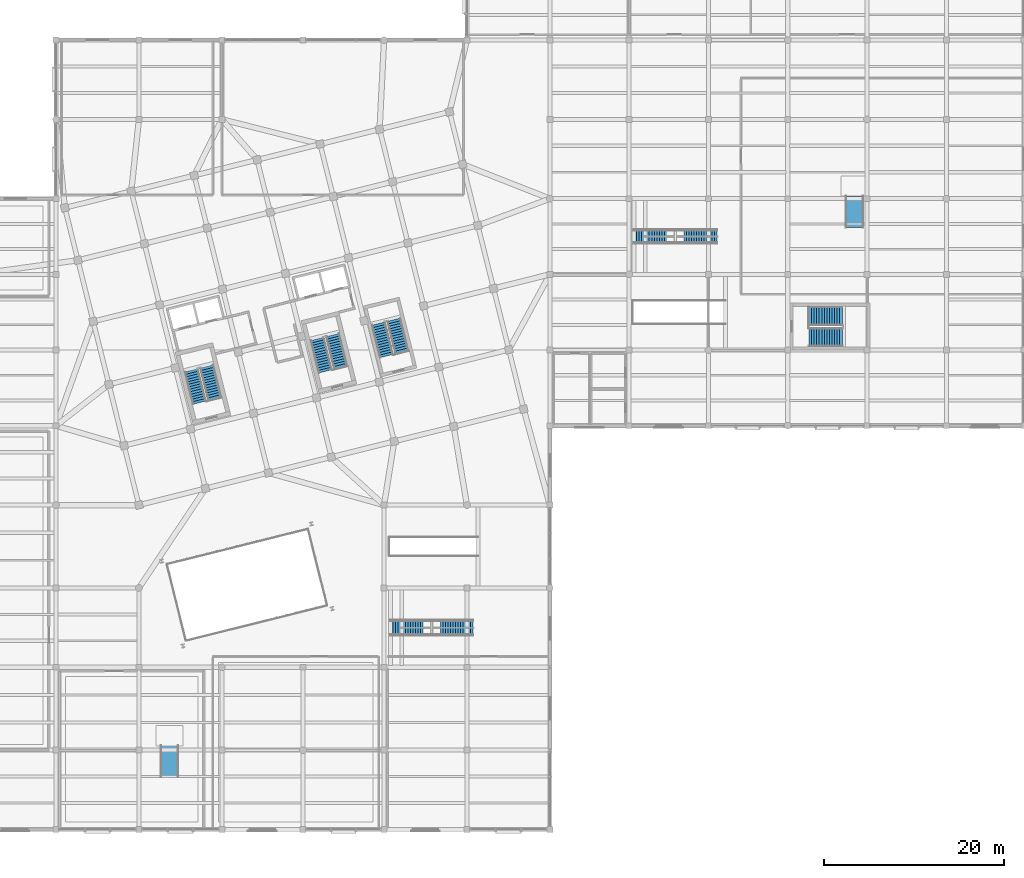
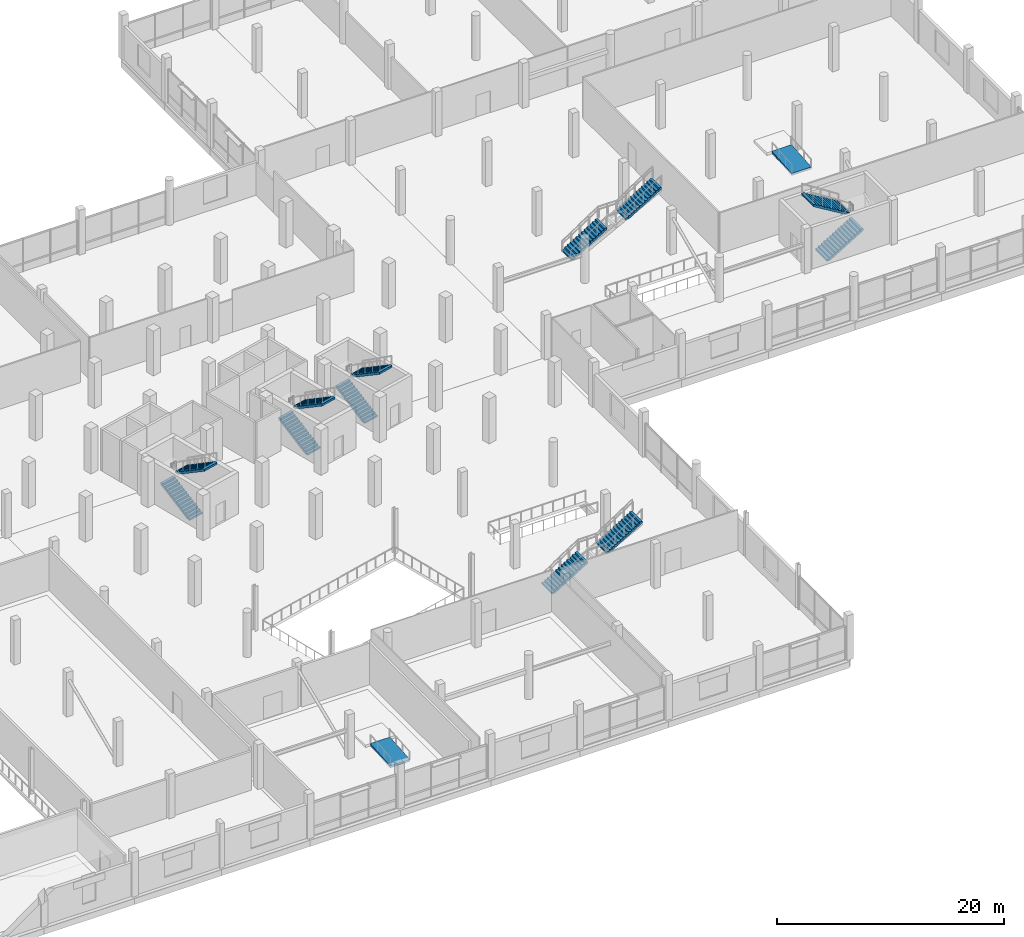
# One storey, part 63 of 71: 12 stair flights, 2 ramp flights, 8 elements without a shape of their own.
"""IFC4 building model written with IfcOpenShell, lengths in metres."""

from ifc_helpers import new_model, si_unit, direction, frame, origin, place, context, subcontext, project, spatial, polyline, outline, extrude, material, layer, layer_set, type_object, element, aggregate, save


model = new_model("IFC4")

# Units and contexts
model_context = context("Model", 3, precision=1e-05, world=origin(), true_north=direction((0.0, 1.0)))
body_context = subcontext(model_context, "Body", "Model", "MODEL_VIEW")
ifc_project = project(units=[si_unit("LENGTHUNIT", "METRE"), si_unit("AREAUNIT", "SQUARE_METRE"), si_unit("VOLUMEUNIT", "CUBIC_METRE"), si_unit("PLANEANGLEUNIT", "RADIAN"), si_unit("MASSUNIT", "GRAM", prefix="KILO")], contexts=[model_context])

# Site, building, storey
site_placement = place(None, origin())
site = spatial("IfcSite", under=ifc_project, at=site_placement, CompositionType="ELEMENT")
building_placement = place(site_placement, origin())
building = spatial("IfcBuilding", under=site, at=building_placement, Name="Meriwether Solvik Hall", CompositionType="ELEMENT")
storey_placement = place(building_placement, frame((0.0, 0.0, 5.10009765625)))
storey = spatial("IfcBuildingStorey", under=building, at=storey_placement, Name="L01", CompositionType="ELEMENT", Elevation=5.10009765625)

# Stair, stair flights
ifc_material_1 = material(Name="Glulam Douglas-Fir 24F-V8 GL28h", Category="wood")
stair_type_1 = type_object("IfcStairType", Name="STR-OPEN-LIB", PredefinedType="TWO_STRAIGHT_RUN_STAIR", material=ifc_material_1)
stair_1_placement = place(storey_placement, origin())
stair_1 = element("IfcStair", 1, at=stair_1_placement, inside=storey, type_object=stair_type_1, Name="Architectural Stair ST-LB1 (L01-L02)", PredefinedType="TWO_STRAIGHT_RUN_STAIR")
ifc_material_2 = material(Name="Glulam Douglas-Fir 24F-V8 GL28h", Category="wood")
stair_flight_type_1 = type_object("IfcStairFlightType", Name="SFL-GL-165", PredefinedType="STRAIGHT", material=ifc_material_2)
stair_flight_1_placement = place(storey_placement, frame((123.550048828125, 71.0, 0.0), z_axis=(0.0, 0.0, 1.0), x_axis=(1.0, 0.0, 0.0)))
stair_flight_1 = element("IfcStairFlight", 2, at=stair_flight_1_placement, type_object=stair_flight_type_1, Name="Stair ST-LB1 Lower Flight", NumberOfRisers=14, NumberOfTreads=13, PredefinedType="STRAIGHT", RiserHeight=0.171429, TreadLength=0.28, context=body_context, shape_type="SweptSolid", body=[
    extrude(outline(polyline([(0.0, 0.0), (0.0, 0.17138671875), (0.280029296875, 0.17138671875), (0.280029296875, 0.3427734375), (0.56005859375, 0.3427734375), (0.56005859375, 0.514404296875), (0.840087890625, 0.514404296875), (0.840087890625, 0.685791015625), (1.1201171875, 0.685791015625), (1.1201171875, 0.857177734375), (1.39990234375, 0.857177734375), (1.39990234375, 1.028564453125), (1.679931640625, 1.028564453125), (1.679931640625, 1.199951171875), (1.9599609375, 1.199951171875), (1.9599609375, 1.371337890625), (2.239990234375, 1.371337890625), (2.239990234375, 1.54296875), (2.52001953125, 1.54296875), (2.52001953125, 1.71435546875), (2.800048828125, 1.71435546875), (2.800048828125, 1.8857421875), (3.080078125, 1.8857421875), (3.080078125, 2.05712890625), (3.360107421875, 2.05712890625), (3.360107421875, 2.228515625), (3.639892578125, 2.228515625), (3.639892578125, 2.39990234375), (3.639892578125, 2.017578125), (0.344482421875, 0.0), (0.0, 0.0)])), frame((0.0, 0.824951171875, 0.0), z_axis=(0.0, -1.0, 0.0), x_axis=(1.0, 0.0, 0.0)), (0.0, 0.0, 1.0), 1.64990234375),
])
stair_flight_2_placement = place(storey_placement, frame((129.090087890625, 71.0, 2.39990234375), z_axis=(0.0, 0.0, 1.0), x_axis=(1.0, 0.0, 0.0)))
stair_flight_2 = element("IfcStairFlight", 3, at=stair_flight_2_placement, type_object=stair_flight_type_1, Name="Stair ST-LB1 Upper Flight", NumberOfRisers=14, NumberOfTreads=13, PredefinedType="STRAIGHT", RiserHeight=0.171429, TreadLength=0.28, context=body_context, shape_type="SweptSolid", body=[
    extrude(outline(polyline([(0.0, 0.0), (0.0, 0.17138671875), (0.280029296875, 0.17138671875), (0.280029296875, 0.3427734375), (0.56005859375, 0.3427734375), (0.56005859375, 0.514404296875), (0.840087890625, 0.514404296875), (0.840087890625, 0.685791015625), (1.1201171875, 0.685791015625), (1.1201171875, 0.857177734375), (1.39990234375, 0.857177734375), (1.39990234375, 1.028564453125), (1.679931640625, 1.028564453125), (1.679931640625, 1.199951171875), (1.9599609375, 1.199951171875), (1.9599609375, 1.371337890625), (2.239990234375, 1.371337890625), (2.239990234375, 1.54296875), (2.52001953125, 1.54296875), (2.52001953125, 1.71435546875), (2.800048828125, 1.71435546875), (2.800048828125, 1.8857421875), (3.080078125, 1.8857421875), (3.080078125, 2.05712890625), (3.360107421875, 2.05712890625), (3.360107421875, 2.228515625), (3.639892578125, 2.228515625), (3.639892578125, 2.39990234375), (3.639892578125, 2.017578125), (0.344482421875, 0.0), (0.0, 0.0)])), frame((0.0, 0.824951171875, 0.0), z_axis=(0.0, -1.0, 0.0), x_axis=(1.0, 0.0, 0.0)), (0.0, 0.0, 1.0), 1.64990234375),
])
aggregate(stair_1, [stair_flight_1, stair_flight_2])

ifc_material_3 = material(Name="Glulam Douglas-Fir 24F-V8 GL28h", Category="wood")
stair_type_2 = type_object("IfcStairType", Name="STR-OPEN-ATRIUM", PredefinedType="TWO_STRAIGHT_RUN_STAIR", material=ifc_material_3)
stair_2_placement = place(storey_placement, origin())
stair_2 = element("IfcStair", 4, at=stair_2_placement, inside=storey, type_object=stair_type_2, Name="Architectural Stair ST-AT2 (L01-L02)", PredefinedType="TWO_STRAIGHT_RUN_STAIR")
ifc_material_4 = material(Name="Glulam Douglas-Fir 24F-V8 GL28h", Category="wood")
stair_flight_type_2 = type_object("IfcStairFlightType", Name="SFL-GL-180", PredefinedType="STRAIGHT", material=ifc_material_4)
stair_flight_3_placement = place(storey_placement, frame((96.5, 27.60009765625, 0.0), z_axis=(0.0, 0.0, 1.0), x_axis=(1.0, 0.0, 0.0)))
stair_flight_3 = element("IfcStairFlight", 5, at=stair_flight_3_placement, type_object=stair_flight_type_2, Name="Stair ST-AT2 Lower Flight", NumberOfRisers=14, NumberOfTreads=13, PredefinedType="STRAIGHT", RiserHeight=0.171429, TreadLength=0.28, context=body_context, shape_type="SweptSolid", body=[
    extrude(outline(polyline([(0.0, 0.0), (0.0, 0.17138671875), (0.280029296875, 0.17138671875), (0.280029296875, 0.3427734375), (0.56005859375, 0.3427734375), (0.56005859375, 0.514404296875), (0.840087890625, 0.514404296875), (0.840087890625, 0.685791015625), (1.1201171875, 0.685791015625), (1.1201171875, 0.857177734375), (1.39990234375, 0.857177734375), (1.39990234375, 1.028564453125), (1.679931640625, 1.028564453125), (1.679931640625, 1.199951171875), (1.9599609375, 1.199951171875), (1.9599609375, 1.371337890625), (2.239990234375, 1.371337890625), (2.239990234375, 1.54296875), (2.52001953125, 1.54296875), (2.52001953125, 1.71435546875), (2.800048828125, 1.71435546875), (2.800048828125, 1.8857421875), (3.080078125, 1.8857421875), (3.080078125, 2.05712890625), (3.360107421875, 2.05712890625), (3.360107421875, 2.228515625), (3.639892578125, 2.228515625), (3.639892578125, 2.39990234375), (3.639892578125, 2.017578125), (0.344482421875, 0.0), (0.0, 0.0)])), frame((0.0, 0.89990234375, 0.0), z_axis=(0.0, -1.0, 0.0), x_axis=(1.0, 0.0, 0.0)), (0.0, 0.0, 1.0), 1.800048828125),
])
stair_flight_4_placement = place(storey_placement, frame((102.0400390625, 27.60009765625, 2.39990234375), z_axis=(0.0, 0.0, 1.0), x_axis=(1.0, 0.0, 0.0)))
stair_flight_4 = element("IfcStairFlight", 6, at=stair_flight_4_placement, type_object=stair_flight_type_2, Name="Stair ST-AT2 Upper Flight", NumberOfRisers=14, NumberOfTreads=13, PredefinedType="STRAIGHT", RiserHeight=0.171429, TreadLength=0.28, context=body_context, shape_type="SweptSolid", body=[
    extrude(outline(polyline([(0.0, 0.0), (0.0, 0.17138671875), (0.280029296875, 0.17138671875), (0.280029296875, 0.3427734375), (0.56005859375, 0.3427734375), (0.56005859375, 0.514404296875), (0.840087890625, 0.514404296875), (0.840087890625, 0.685791015625), (1.1201171875, 0.685791015625), (1.1201171875, 0.857177734375), (1.39990234375, 0.857177734375), (1.39990234375, 1.028564453125), (1.679931640625, 1.028564453125), (1.679931640625, 1.199951171875), (1.9599609375, 1.199951171875), (1.9599609375, 1.371337890625), (2.239990234375, 1.371337890625), (2.239990234375, 1.54296875), (2.52001953125, 1.54296875), (2.52001953125, 1.71435546875), (2.800048828125, 1.71435546875), (2.800048828125, 1.8857421875), (3.080078125, 1.8857421875), (3.080078125, 2.05712890625), (3.360107421875, 2.05712890625), (3.360107421875, 2.228515625), (3.639892578125, 2.228515625), (3.639892578125, 2.39990234375), (3.639892578125, 2.017578125), (0.344482421875, 0.0), (0.0, 0.0)])), frame((0.0, 0.89990234375, 0.0), z_axis=(0.0, -1.0, 0.0), x_axis=(1.0, 0.0, 0.0)), (0.0, 0.0, 1.0), 1.800048828125),
])
aggregate(stair_2, [stair_flight_3, stair_flight_4])

ifc_material_5 = material(Name="Concrete C40/50", Category="concrete")
stair_type_3 = type_object("IfcStairType", Name="STR-CORE-DOGLEG-B", PredefinedType="TWO_STRAIGHT_RUN_STAIR", material=ifc_material_5)
stair_3_placement = place(storey_placement, origin())
stair_3 = element("IfcStair", 7, at=stair_3_placement, inside=storey, type_object=stair_type_3, Name="Exit Stair ST-01 (L01)", PredefinedType="TWO_STRAIGHT_RUN_STAIR")
ifc_material_6 = material(Name="Concrete C40/50", Category="concrete")
stair_flight_type_3 = type_object("IfcStairFlightType", Name="SFL-RC-156", PredefinedType="STRAIGHT", material=ifc_material_6)
stair_flight_5_placement = place(storey_placement, frame((75.310791015625, 52.56103515625, 0.0), z_axis=(0.0, 0.0, 1.0), x_axis=(-0.2419218956, 0.970295726276, 0.0)))
stair_flight_5 = element("IfcStairFlight", 8, at=stair_flight_5_placement, type_object=stair_flight_type_3, Name="Stair ST-01 Lower Flight (L01)", NumberOfRisers=14, NumberOfTreads=13, PredefinedType="STRAIGHT", RiserHeight=0.171429, TreadLength=0.285, context=body_context, shape_type="SweptSolid", body=[
    extrude(outline(polyline([(0.0, 0.0), (0.0, 0.17138671875), (0.284912109375, 0.17138671875), (0.284912109375, 0.3427734375), (0.570068359375, 0.3427734375), (0.570068359375, 0.514404296875), (0.85498046875, 0.514404296875), (0.85498046875, 0.685791015625), (1.139892578125, 0.685791015625), (1.139892578125, 0.857177734375), (1.425048828125, 0.857177734375), (1.425048828125, 1.028564453125), (1.7099609375, 1.028564453125), (1.7099609375, 1.199951171875), (1.9951171875, 1.199951171875), (1.9951171875, 1.371337890625), (2.280029296875, 1.371337890625), (2.280029296875, 1.54296875), (2.56494140625, 1.54296875), (2.56494140625, 1.71435546875), (2.85009765625, 1.71435546875), (2.85009765625, 1.8857421875), (3.135009765625, 1.8857421875), (3.135009765625, 2.05712890625), (3.419921875, 2.05712890625), (3.419921875, 2.228515625), (3.705078125, 2.228515625), (3.705078125, 2.39990234375), (3.705078125, 2.0185546875), (0.34912109375, 0.0), (0.0, 0.0)])), frame((0.0, 0.780029296875, 0.0), z_axis=(0.0, -1.0, 0.0), x_axis=(1.0, 0.0, 0.0)), (0.0, 0.0, 1.0), 1.56005859375),
])
stair_flight_6_placement = place(storey_placement, frame((76.1416015625, 56.58642578125, 2.39990234375), z_axis=(0.0, 0.0, 1.0), x_axis=(0.2419218956, -0.970295726276, 0.0)))
stair_flight_6 = element("IfcStairFlight", 9, at=stair_flight_6_placement, type_object=stair_flight_type_3, Name="Stair ST-01 Upper Flight (L01)", NumberOfRisers=14, NumberOfTreads=13, PredefinedType="STRAIGHT", RiserHeight=0.171429, TreadLength=0.285, context=body_context, shape_type="SweptSolid", body=[
    extrude(outline(polyline([(0.0, 0.0), (0.0, 0.17138671875), (0.284912109375, 0.17138671875), (0.284912109375, 0.3427734375), (0.570068359375, 0.3427734375), (0.570068359375, 0.514404296875), (0.85498046875, 0.514404296875), (0.85498046875, 0.685791015625), (1.139892578125, 0.685791015625), (1.139892578125, 0.857177734375), (1.425048828125, 0.857177734375), (1.425048828125, 1.028564453125), (1.7099609375, 1.028564453125), (1.7099609375, 1.199951171875), (1.9951171875, 1.199951171875), (1.9951171875, 1.371337890625), (2.280029296875, 1.371337890625), (2.280029296875, 1.54296875), (2.56494140625, 1.54296875), (2.56494140625, 1.71435546875), (2.85009765625, 1.71435546875), (2.85009765625, 1.8857421875), (3.135009765625, 1.8857421875), (3.135009765625, 2.05712890625), (3.419921875, 2.05712890625), (3.419921875, 2.228515625), (3.705078125, 2.228515625), (3.705078125, 2.39990234375), (3.705078125, 2.0185546875), (0.34912109375, 0.0), (0.0, 0.0)])), frame((0.0, 0.780029296875, 0.0), z_axis=(0.0, -1.0, 0.0), x_axis=(1.0, 0.0, 0.0)), (0.0, 0.0, 1.0), 1.56005859375),
])
aggregate(stair_3, [stair_flight_5, stair_flight_6])

stair_4_placement = place(storey_placement, origin())
stair_4 = element("IfcStair", 10, at=stair_4_placement, inside=storey, type_object=stair_type_3, Name="Exit Stair ST-02 (L01)", PredefinedType="TWO_STRAIGHT_RUN_STAIR")
stair_flight_7_placement = place(storey_placement, frame((89.283203125, 56.044677734375, 0.0), z_axis=(0.0, 0.0, 1.0), x_axis=(-0.2419218956, 0.970295726276, 0.0)))
stair_flight_7 = element("IfcStairFlight", 11, at=stair_flight_7_placement, type_object=stair_flight_type_3, Name="Stair ST-02 Lower Flight (L01)", NumberOfRisers=14, NumberOfTreads=13, PredefinedType="STRAIGHT", RiserHeight=0.171429, TreadLength=0.285, context=body_context, shape_type="SweptSolid", body=[
    extrude(outline(polyline([(0.0, 0.0), (0.0, 0.17138671875), (0.284912109375, 0.17138671875), (0.284912109375, 0.3427734375), (0.570068359375, 0.3427734375), (0.570068359375, 0.514404296875), (0.85498046875, 0.514404296875), (0.85498046875, 0.685791015625), (1.139892578125, 0.685791015625), (1.139892578125, 0.857177734375), (1.425048828125, 0.857177734375), (1.425048828125, 1.028564453125), (1.7099609375, 1.028564453125), (1.7099609375, 1.199951171875), (1.9951171875, 1.199951171875), (1.9951171875, 1.371337890625), (2.280029296875, 1.371337890625), (2.280029296875, 1.54296875), (2.56494140625, 1.54296875), (2.56494140625, 1.71435546875), (2.85009765625, 1.71435546875), (2.85009765625, 1.8857421875), (3.135009765625, 1.8857421875), (3.135009765625, 2.05712890625), (3.419921875, 2.05712890625), (3.419921875, 2.228515625), (3.705078125, 2.228515625), (3.705078125, 2.39990234375), (3.705078125, 2.0185546875), (0.34912109375, 0.0), (0.0, 0.0)])), frame((0.0, 0.780029296875, 0.0), z_axis=(0.0, -1.0, 0.0), x_axis=(1.0, 0.0, 0.0)), (0.0, 0.0, 1.0), 1.56005859375),
])
stair_flight_8_placement = place(storey_placement, frame((90.114013671875, 60.0703125, 2.39990234375), z_axis=(0.0, 0.0, 1.0), x_axis=(0.2419218956, -0.970295726276, 0.0)))
stair_flight_8 = element("IfcStairFlight", 12, at=stair_flight_8_placement, type_object=stair_flight_type_3, Name="Stair ST-02 Upper Flight (L01)", NumberOfRisers=14, NumberOfTreads=13, PredefinedType="STRAIGHT", RiserHeight=0.171429, TreadLength=0.285, context=body_context, shape_type="SweptSolid", body=[
    extrude(outline(polyline([(0.0, 0.0), (0.0, 0.17138671875), (0.284912109375, 0.17138671875), (0.284912109375, 0.3427734375), (0.570068359375, 0.3427734375), (0.570068359375, 0.514404296875), (0.85498046875, 0.514404296875), (0.85498046875, 0.685791015625), (1.139892578125, 0.685791015625), (1.139892578125, 0.857177734375), (1.425048828125, 0.857177734375), (1.425048828125, 1.028564453125), (1.7099609375, 1.028564453125), (1.7099609375, 1.199951171875), (1.9951171875, 1.199951171875), (1.9951171875, 1.371337890625), (2.280029296875, 1.371337890625), (2.280029296875, 1.54296875), (2.56494140625, 1.54296875), (2.56494140625, 1.71435546875), (2.85009765625, 1.71435546875), (2.85009765625, 1.8857421875), (3.135009765625, 1.8857421875), (3.135009765625, 2.05712890625), (3.419921875, 2.05712890625), (3.419921875, 2.228515625), (3.705078125, 2.228515625), (3.705078125, 2.39990234375), (3.705078125, 2.0185546875), (0.34912109375, 0.0), (0.0, 0.0)])), frame((0.0, 0.780029296875, 0.0), z_axis=(0.0, -1.0, 0.0), x_axis=(1.0, 0.0, 0.0)), (0.0, 0.0, 1.0), 1.56005859375),
])
aggregate(stair_4, [stair_flight_7, stair_flight_8])

stair_5_placement = place(storey_placement, origin())
stair_5 = element("IfcStair", 13, at=stair_5_placement, inside=storey, type_object=stair_type_3, Name="Exit Stair ST-03 (L01)", PredefinedType="TWO_STRAIGHT_RUN_STAIR")
stair_flight_9_placement = place(storey_placement, frame((96.0751953125, 57.738037109375, 0.0), z_axis=(0.0, 0.0, 1.0), x_axis=(-0.2419218956, 0.970295726276, 0.0)))
stair_flight_9 = element("IfcStairFlight", 14, at=stair_flight_9_placement, type_object=stair_flight_type_3, Name="Stair ST-03 Lower Flight (L01)", NumberOfRisers=14, NumberOfTreads=13, PredefinedType="STRAIGHT", RiserHeight=0.171429, TreadLength=0.285, context=body_context, shape_type="SweptSolid", body=[
    extrude(outline(polyline([(0.0, 0.0), (0.0, 0.17138671875), (0.284912109375, 0.17138671875), (0.284912109375, 0.3427734375), (0.570068359375, 0.3427734375), (0.570068359375, 0.514404296875), (0.85498046875, 0.514404296875), (0.85498046875, 0.685791015625), (1.139892578125, 0.685791015625), (1.139892578125, 0.857177734375), (1.425048828125, 0.857177734375), (1.425048828125, 1.028564453125), (1.7099609375, 1.028564453125), (1.7099609375, 1.199951171875), (1.9951171875, 1.199951171875), (1.9951171875, 1.371337890625), (2.280029296875, 1.371337890625), (2.280029296875, 1.54296875), (2.56494140625, 1.54296875), (2.56494140625, 1.71435546875), (2.85009765625, 1.71435546875), (2.85009765625, 1.8857421875), (3.135009765625, 1.8857421875), (3.135009765625, 2.05712890625), (3.419921875, 2.05712890625), (3.419921875, 2.228515625), (3.705078125, 2.228515625), (3.705078125, 2.39990234375), (3.705078125, 2.0185546875), (0.34912109375, 0.0), (0.0, 0.0)])), frame((0.0, 0.780029296875, 0.0), z_axis=(0.0, -1.0, 0.0), x_axis=(1.0, 0.0, 0.0)), (0.0, 0.0, 1.0), 1.56005859375),
])
stair_flight_10_placement = place(storey_placement, frame((96.906005859375, 61.763671875, 2.39990234375), z_axis=(0.0, 0.0, 1.0), x_axis=(0.2419218956, -0.970295726276, 0.0)))
stair_flight_10 = element("IfcStairFlight", 15, at=stair_flight_10_placement, type_object=stair_flight_type_3, Name="Stair ST-03 Upper Flight (L01)", NumberOfRisers=14, NumberOfTreads=13, PredefinedType="STRAIGHT", RiserHeight=0.171429, TreadLength=0.285, context=body_context, shape_type="SweptSolid", body=[
    extrude(outline(polyline([(0.0, 0.0), (0.0, 0.17138671875), (0.284912109375, 0.17138671875), (0.284912109375, 0.3427734375), (0.570068359375, 0.3427734375), (0.570068359375, 0.514404296875), (0.85498046875, 0.514404296875), (0.85498046875, 0.685791015625), (1.139892578125, 0.685791015625), (1.139892578125, 0.857177734375), (1.425048828125, 0.857177734375), (1.425048828125, 1.028564453125), (1.7099609375, 1.028564453125), (1.7099609375, 1.199951171875), (1.9951171875, 1.199951171875), (1.9951171875, 1.371337890625), (2.280029296875, 1.371337890625), (2.280029296875, 1.54296875), (2.56494140625, 1.54296875), (2.56494140625, 1.71435546875), (2.85009765625, 1.71435546875), (2.85009765625, 1.8857421875), (3.135009765625, 1.8857421875), (3.135009765625, 2.05712890625), (3.419921875, 2.05712890625), (3.419921875, 2.228515625), (3.705078125, 2.228515625), (3.705078125, 2.39990234375), (3.705078125, 2.0185546875), (0.34912109375, 0.0), (0.0, 0.0)])), frame((0.0, 0.780029296875, 0.0), z_axis=(0.0, -1.0, 0.0), x_axis=(1.0, 0.0, 0.0)), (0.0, 0.0, 1.0), 1.56005859375),
])
aggregate(stair_5, [stair_flight_9, stair_flight_10])

ifc_material_7 = material(Name="Concrete C40/50", Category="concrete")
stair_type_4 = type_object("IfcStairType", Name="STR-CORE-WIDE", PredefinedType="TWO_STRAIGHT_RUN_STAIR", material=ifc_material_7)
stair_6_placement = place(storey_placement, origin())
stair_6 = element("IfcStair", 16, at=stair_6_placement, inside=storey, type_object=stair_type_4, Name="Exit Stair ST-05 (L01)", PredefinedType="TWO_STRAIGHT_RUN_STAIR")
ifc_material_8 = material(Name="Concrete C40/50", Category="concrete")
stair_flight_type_4 = type_object("IfcStairFlightType", Name="SFL-RC-205", PredefinedType="STRAIGHT", material=ifc_material_8)
stair_flight_11_placement = place(storey_placement, frame((142.949951171875, 59.804931640625, 0.0), z_axis=(0.0, 0.0, 1.0), x_axis=(1.0, 0.0, 0.0)))
stair_flight_11 = element("IfcStairFlight", 17, at=stair_flight_11_placement, type_object=stair_flight_type_4, Name="Stair ST-05 Lower Flight (L01)", NumberOfRisers=14, NumberOfTreads=13, PredefinedType="STRAIGHT", RiserHeight=0.171429, TreadLength=0.285, context=body_context, shape_type="SweptSolid", body=[
    extrude(outline(polyline([(0.0, 0.0), (0.0, 0.17138671875), (0.284912109375, 0.17138671875), (0.284912109375, 0.3427734375), (0.570068359375, 0.3427734375), (0.570068359375, 0.514404296875), (0.85498046875, 0.514404296875), (0.85498046875, 0.685791015625), (1.139892578125, 0.685791015625), (1.139892578125, 0.857177734375), (1.425048828125, 0.857177734375), (1.425048828125, 1.028564453125), (1.7099609375, 1.028564453125), (1.7099609375, 1.199951171875), (1.9951171875, 1.199951171875), (1.9951171875, 1.371337890625), (2.280029296875, 1.371337890625), (2.280029296875, 1.54296875), (2.56494140625, 1.54296875), (2.56494140625, 1.71435546875), (2.85009765625, 1.71435546875), (2.85009765625, 1.8857421875), (3.135009765625, 1.8857421875), (3.135009765625, 2.05712890625), (3.419921875, 2.05712890625), (3.419921875, 2.228515625), (3.705078125, 2.228515625), (3.705078125, 2.39990234375), (3.705078125, 2.0185546875), (0.34912109375, 0.0), (0.0, 0.0)])), frame((0.0, 1.02490234375, 0.0), z_axis=(0.0, -1.0, 0.0), x_axis=(1.0, 0.0, 0.0)), (0.0, 0.0, 1.0), 2.050048828125),
])
stair_flight_12_placement = place(storey_placement, frame((146.655029296875, 62.195068359375, 2.39990234375), z_axis=(0.0, 0.0, 1.0), x_axis=(-1.0, 0.0, 0.0)))
stair_flight_12 = element("IfcStairFlight", 18, at=stair_flight_12_placement, type_object=stair_flight_type_4, Name="Stair ST-05 Upper Flight (L01)", NumberOfRisers=14, NumberOfTreads=13, PredefinedType="STRAIGHT", RiserHeight=0.171429, TreadLength=0.285, context=body_context, shape_type="SweptSolid", body=[
    extrude(outline(polyline([(0.0, 0.0), (0.0, 0.17138671875), (0.284912109375, 0.17138671875), (0.284912109375, 0.3427734375), (0.570068359375, 0.3427734375), (0.570068359375, 0.514404296875), (0.85498046875, 0.514404296875), (0.85498046875, 0.685791015625), (1.139892578125, 0.685791015625), (1.139892578125, 0.857177734375), (1.425048828125, 0.857177734375), (1.425048828125, 1.028564453125), (1.7099609375, 1.028564453125), (1.7099609375, 1.199951171875), (1.9951171875, 1.199951171875), (1.9951171875, 1.371337890625), (2.280029296875, 1.371337890625), (2.280029296875, 1.54296875), (2.56494140625, 1.54296875), (2.56494140625, 1.71435546875), (2.85009765625, 1.71435546875), (2.85009765625, 1.8857421875), (3.135009765625, 1.8857421875), (3.135009765625, 2.05712890625), (3.419921875, 2.05712890625), (3.419921875, 2.228515625), (3.705078125, 2.228515625), (3.705078125, 2.39990234375), (3.705078125, 2.0185546875), (0.34912109375, 0.0), (0.0, 0.0)])), frame((0.0, 1.02490234375, 0.0), z_axis=(0.0, -1.0, 0.0), x_axis=(1.0, 0.0, 0.0)), (0.0, 0.0, 1.0), 2.050048828125),
])
aggregate(stair_6, [stair_flight_11, stair_flight_12])

# Ramp, ramp flight
ifc_material_9 = material(Name="Concrete C40/50", Category="concrete")
ifc_layer_1 = layer(ifc_material_9, 0.219970703125)
ifc_layer_set_1 = layer_set([ifc_layer_1], Name="Concrete C40/50")
ramp_type = type_object("IfcRampType", Name="RMP-ACC-200", PredefinedType="STRAIGHT_RUN_RAMP", material=ifc_layer_set_1)
ramp_1_placement = place(storey_placement, origin())
ramp_1 = element("IfcRamp", 19, at=ramp_1_placement, inside=storey, type_object=ramp_type, Name="Accessible Dais Ramp AR3 (L01)", PredefinedType="STRAIGHT_RUN_RAMP")
ifc_material_10 = material(Name="Concrete C40/50", Category="concrete")
ifc_layer_2 = layer(ifc_material_10, 0.219970703125)
ifc_layer_set_2 = layer_set([ifc_layer_2], Name="Concrete C40/50")
ramp_flight_type = type_object("IfcRampFlightType", Name="RFL-ACC-200", PredefinedType="STRAIGHT", material=ifc_layer_set_2)
ramp_flight_1_placement = place(storey_placement, frame((72.0, 11.0, 0.0), z_axis=(0.0, 0.0, 1.0), x_axis=(0.0, 1.0, 0.0)))
ramp_flight_1 = element("IfcRampFlight", 20, at=ramp_flight_1_placement, type_object=ramp_flight_type, Name="Accessible Dais Ramp Flight AR3", PredefinedType="STRAIGHT", context=body_context, shape_type="SweptSolid", body=[
    extrude(outline(polyline([(0.0, 0.0), (3.5, 0.280029296875), (3.5, 0.06005859375), (0.0, -0.219970703125), (0.0, 0.0)])), frame((0.0, 1.0, 0.0), z_axis=(0.0, -1.0, 0.0), x_axis=(1.0, 0.0, 0.0)), (0.0, 0.0, 1.0), 2.0),
])
aggregate(ramp_1, [ramp_flight_1])

ramp_2_placement = place(storey_placement, origin())
ramp_2 = element("IfcRamp", 21, at=ramp_2_placement, inside=storey, type_object=ramp_type, Name="Accessible Dais Ramp AR4 (L01)", PredefinedType="STRAIGHT_RUN_RAMP")
ramp_flight_2_placement = place(storey_placement, frame((148.0, 72.0, 0.0), z_axis=(0.0, 0.0, 1.0), x_axis=(0.0, 1.0, 0.0)))
ramp_flight_2 = element("IfcRampFlight", 22, at=ramp_flight_2_placement, type_object=ramp_flight_type, Name="Accessible Dais Ramp Flight AR4", PredefinedType="STRAIGHT", context=body_context, shape_type="SweptSolid", body=[
    extrude(outline(polyline([(0.0, 0.0), (3.5, 0.280029296875), (3.5, 0.06005859375), (0.0, -0.219970703125), (0.0, 0.0)])), frame((0.0, 1.0, 0.0), z_axis=(0.0, -1.0, 0.0), x_axis=(1.0, 0.0, 0.0)), (0.0, 0.0, 1.0), 2.0),
])
aggregate(ramp_2, [ramp_flight_2])

save(model, "model.ifc")
